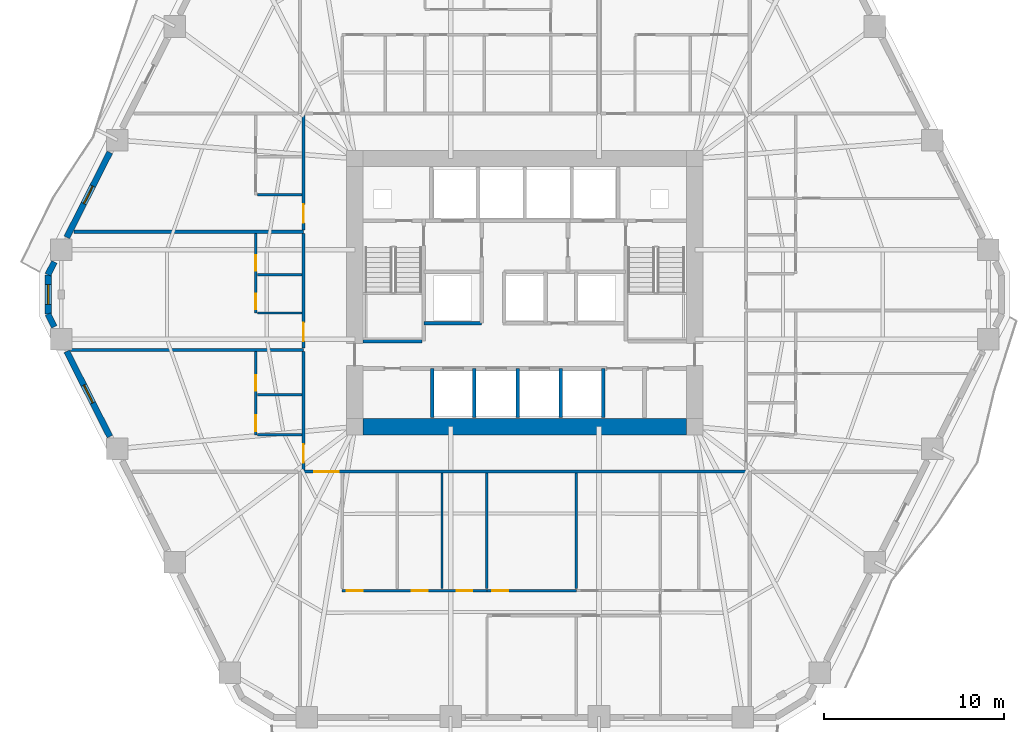
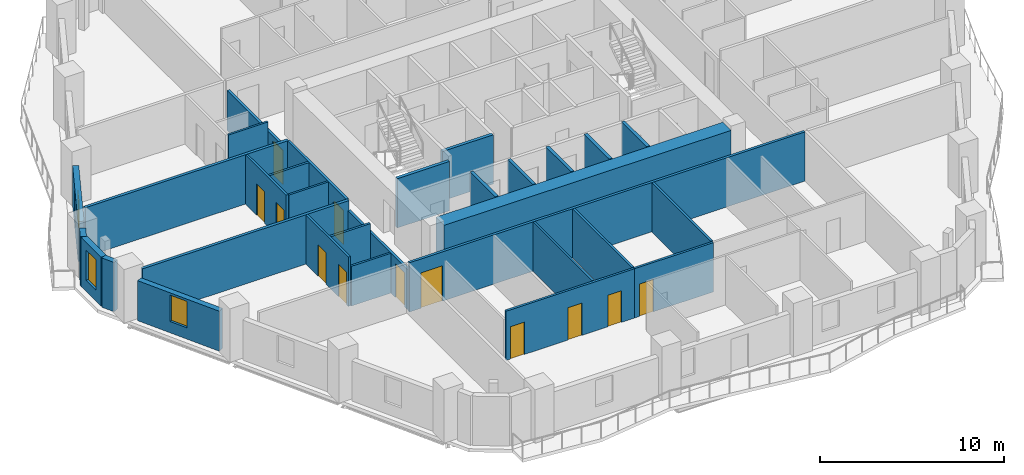
# One storey, part 4 of 12: 31 walls, 12 doors, 3 windows, 15 openings.
"""IFC4 building model written with IfcOpenShell, lengths in metres."""

import ifcopenshell
import ifcopenshell.guid

model = None  # the IFC model being written
_history = None  # IfcOwnerHistory: only IFC2X3 demands one
_inside = {}  # id of a spatial element -> (the spatial element, [elements in it])
_under = {}  # id of a project, library or spatial element -> (it, [spatial elements below it])
_declared = {}  # id of a project -> (the project, [libraries it declares])
_typed = {}  # id of a type object -> (the type object, [elements of that type])
_made_of = {}  # id of a material, layer set ... -> (it, [elements and type objects made of it])


def new_model(schema):
    """Start an empty IFC model of exactly this schema.

    Asked for "IFC4X3", IfcOpenShell would pick the latest addendum, in which some entities
    have other attributes; the version numbers below select the first issue.
    IFC2X3 requires an IfcOwnerHistory on every rooted entity: one is made here for all.
    """
    global model, _history
    if schema == "IFC4X3":
        model = ifcopenshell.file(schema_version=(4, 3, 0, 0))
    else:
        model = ifcopenshell.file(schema=schema)
    _inside.clear()
    _under.clear()
    _declared.clear()
    _typed.clear()
    _made_of.clear()
    _history = None
    if model.schema == "IFC2X3":
        org = make("IfcOrganization", Name="unknown")
        user = make(
            "IfcPersonAndOrganization",
            ThePerson=make("IfcPerson", FamilyName="unknown"),
            TheOrganization=org,
        )
        app = make(
            "IfcApplication",
            ApplicationDeveloper=org,
            Version="unknown",
            ApplicationFullName="unknown",
            ApplicationIdentifier="unknown",
        )
        _history = make(
            "IfcOwnerHistory",
            OwningUser=user,
            OwningApplication=app,
            ChangeAction="ADDED",
            CreationDate=0,
        )
    return model


def make(cls, **values):
    """One entity of the class cls with the attributes given. An attribute that is None is left unset."""
    return model.create_entity(
        cls, **{name: value for name, value in values.items() if value is not None}
    )


def rooted(cls, **values):
    """An entity with a GlobalId (a new one), such as an element, a storey or a relation."""
    return make(cls, GlobalId=ifcopenshell.guid.new(), OwnerHistory=_history, **values)


def si_unit(unit_type, name, prefix=None):
    """IfcSIUnit, for example si_unit("LENGTHUNIT", "METRE", prefix="MILLI")."""
    return make("IfcSIUnit", UnitType=unit_type, Prefix=prefix, Name=name)


def assignment(units):
    """IfcUnitAssignment: the units of a project."""
    return None if units is None else make("IfcUnitAssignment", Units=units)


def point(xyz):
    """IfcCartesianPoint."""
    return None if xyz is None else make("IfcCartesianPoint", Coordinates=xyz)


def direction(xyz):
    """IfcDirection."""
    return None if xyz is None else make("IfcDirection", DirectionRatios=xyz)


def frame(location, z_axis=None, x_axis=None):
    """IfcAxis2Placement3D, a coordinate frame: its origin and axes. An axis left out is left unset."""
    return make(
        "IfcAxis2Placement3D",
        Location=point(location),
        Axis=direction(z_axis),
        RefDirection=direction(x_axis),
    )


def frame_2d(location, x_axis=None):
    """IfcAxis2Placement2D, a coordinate frame in the plane: its origin and x axis."""
    return make(
        "IfcAxis2Placement2D", Location=point(location), RefDirection=direction(x_axis)
    )


def origin():
    """The frame at (0, 0, 0) with its axes left unset."""
    return frame((0.0, 0.0, 0.0))


def place(relative_to, where):
    """IfcLocalPlacement: puts the frame where relative to a parent placement (None: the world)."""
    return make(
        "IfcLocalPlacement", PlacementRelTo=relative_to, RelativePlacement=where
    )


def context(
    kind, dimensions, precision=None, world=None, true_north=None, identifier=None
):
    """IfcGeometricRepresentationContext, for example the 3D "Model" context."""
    return make(
        "IfcGeometricRepresentationContext",
        ContextIdentifier=identifier,
        ContextType=kind,
        CoordinateSpaceDimension=dimensions,
        Precision=precision,
        WorldCoordinateSystem=world,
        TrueNorth=true_north,
    )


def subcontext(parent, identifier, kind, view, scale=None):
    """IfcGeometricRepresentationSubContext, for example "Body" below "Model"."""
    return make(
        "IfcGeometricRepresentationSubContext",
        ContextIdentifier=identifier,
        ContextType=kind,
        ParentContext=parent,
        TargetScale=scale,
        TargetView=view,
    )


def project(units=None, contexts=None):
    """IfcProject with its units and contexts."""
    return rooted(
        "IfcProject",
        Name="project",
        RepresentationContexts=contexts,
        UnitsInContext=assignment(units),
    )


def spatial(cls, under=None, at=None, **own):
    """A site, building, storey or space (cls), placed at a placement, below another one or the project."""
    s = rooted(cls, ObjectPlacement=at, **own)
    if under is not None:
        _under.setdefault(under.id(), (under, []))[1].append(s)
    return s


def profile(cls, at=None, kind="AREA", **sizes):
    """A parametric profile (cls). Its sizes go by their IFC names, for example OverallWidth=200.0."""
    return make(cls, ProfileType=kind, Position=at, **sizes)


def rectangle(**sizes):
    """IfcRectangleProfileDef."""
    return profile("IfcRectangleProfileDef", **sizes)


def extrude(swept, where, along, depth):
    """IfcExtrudedAreaSolid: the profile swept, set in the frame where, extruded along a direction by depth."""
    return make(
        "IfcExtrudedAreaSolid",
        SweptArea=swept,
        Position=where,
        ExtrudedDirection=direction(along),
        Depth=depth,
    )


def shape(context_of_items, identifier, shape_type, items):
    """IfcShapeRepresentation: the items that make up one representation, for example the "Body"."""
    return make(
        "IfcShapeRepresentation",
        ContextOfItems=context_of_items,
        RepresentationIdentifier=identifier,
        RepresentationType=shape_type,
        Items=items,
    )


def material(Name=None, Category=None):
    """IfcMaterial."""
    return make("IfcMaterial", Name=Name, Category=Category)


def layer(
    of_material, thickness, ventilated=None, Name=None, Category=None, Priority=None
):
    """IfcMaterialLayer: one layer of a wall or slab, of a material (None: an air gap)."""
    return make(
        "IfcMaterialLayer",
        Material=of_material,
        LayerThickness=thickness,
        IsVentilated=ventilated,
        Name=Name,
        Category=Category,
        Priority=Priority,
    )


def layer_set(layers, Name=None):
    """IfcMaterialLayerSet."""
    return make("IfcMaterialLayerSet", MaterialLayers=layers, LayerSetName=Name)


def made_of(thing, what):
    """Note that an element or type object is made of a material, layer set ...; save() writes the relation."""
    if what is not None:
        _made_of.setdefault(what.id(), (what, []))[1].append(thing)
    return thing


def type_object(cls, material=None, **own):
    """A type object (cls), such as IfcWallType, which elements share."""
    return made_of(rooted(cls, **own), material)


def element(
    cls,
    number,
    at=None,
    inside=None,
    cuts=None,
    type_object=None,
    material=None,
    context=None,
    identifier="Body",
    shape_type=None,
    held_by="IfcProductDefinitionShape",
    body=None,
    shapes=None,
    **own,
):
    """One element of the class cls, such as IfcWall. Its Tag is "e" and its number.

    at: its placement. inside: the storey or other place that contains it. cuts: it is an
    opening in that element (IfcRelVoidsElement). A single representation is given by context,
    identifier, shape_type and body (its items); several are given by shapes. held_by: the class
    of the entity that holds the representations. save() writes the other relations.
    """
    e = rooted(cls, Tag="e%d" % number, ObjectPlacement=at, **own)
    if body is not None:
        shapes = [shape(context, identifier, shape_type, body)]
    if shapes is not None:
        e.Representation = make(held_by, Representations=shapes)
    if inside is not None:
        _inside.setdefault(inside.id(), (inside, []))[1].append(e)
    if cuts is not None:
        rooted(
            "IfcRelVoidsElement", RelatingBuildingElement=cuts, RelatedOpeningElement=e
        )
    if type_object is not None:
        _typed.setdefault(type_object.id(), (type_object, []))[1].append(e)
    return made_of(e, material)


def fill(opening, filler):
    """IfcRelFillsElement: the door or window that sits in an opening."""
    return rooted(
        "IfcRelFillsElement",
        RelatingOpeningElement=opening,
        RelatedBuildingElement=filler,
    )


def aggregate(whole, parts):
    """IfcRelAggregates: a whole, such as a stair, and the parts it consists of."""
    return rooted("IfcRelAggregates", RelatingObject=whole, RelatedObjects=parts)


def save(model, path):
    """Write the relations noted so far, then the file.

    IfcRelAggregates (storeys below a building ...), IfcRelContainedInSpatialStructure (elements
    in a storey), IfcRelDefinesByType, IfcRelAssociatesMaterial and IfcRelDeclares: one each for
    every whole, place, type object, material and project.
    """
    for whole, parts in _under.values():
        aggregate(whole, parts)
    for where, things in _inside.values():
        rooted(
            "IfcRelContainedInSpatialStructure",
            RelatedElements=things,
            RelatingStructure=where,
        )
    for kind, things in _typed.values():
        rooted("IfcRelDefinesByType", RelatedObjects=things, RelatingType=kind)
    for what, things in _made_of.values():
        rooted("IfcRelAssociatesMaterial", RelatedObjects=things, RelatingMaterial=what)
    for by, libraries in _declared.values():
        rooted("IfcRelDeclares", RelatingContext=by, RelatedDefinitions=libraries)
    model.write(path)


model = new_model("IFC4")

# Units and contexts
model_context = context("Model", 3, precision=1e-05, world=origin(), true_north=direction((0.0, 1.0)))
body_context = subcontext(model_context, "Body", "Model", "MODEL_VIEW")
ifc_project = project(units=[si_unit("LENGTHUNIT", "METRE"), si_unit("AREAUNIT", "SQUARE_METRE"), si_unit("VOLUMEUNIT", "CUBIC_METRE"), si_unit("PLANEANGLEUNIT", "RADIAN"), si_unit("MASSUNIT", "GRAM", prefix="KILO")], contexts=[model_context])

# Site, building, storey
site_placement = place(None, origin())
site = spatial("IfcSite", under=ifc_project, at=site_placement, CompositionType="ELEMENT")
building_placement = place(site_placement, origin())
building = spatial("IfcBuilding", under=site, at=building_placement, Name="Cinnabar Lancet Tower", CompositionType="ELEMENT")
storey_placement = place(building_placement, frame((0.0, 0.0, 71.050048828125)))
storey = spatial("IfcBuildingStorey", under=building, at=storey_placement, Name="L18", CompositionType="ELEMENT", Elevation=71.050048828125)

# Wall, opening, door
ifc_material_1 = material(Name="Acoustic twin-stud gypsum partition", Category="gypsum")
ifc_layer_1 = layer(ifc_material_1, 0.159912109375)
ifc_layer_set_1 = layer_set([ifc_layer_1], Name="Acoustic twin-stud gypsum partition")
wall_type_1 = type_object("IfcWallType", Name="ARC-WL-CORR-160", PredefinedType="PARTITIONING", material=ifc_layer_set_1)
wall_1_placement = place(storey_placement, frame((19.9951171875, 15.949951171875, 0.0), z_axis=(0.0, 0.0, 1.0), x_axis=(1.0, 0.0, 0.0)))
wall_1 = element("IfcWall", 1, at=wall_1_placement, inside=storey, type_object=wall_type_1, Name="L18 Unit S01 Corridor Wall", PredefinedType="PARTITIONING", context=body_context, shape_type="SweptSolid", body=[
    extrude(rectangle(XDim=24.809814453125, YDim=0.159912109375, at=frame_2d((12.40478515625, 0.0))), origin(), (0.0, 0.0, 1.0), 3.27001953125),
])
opening_1_placement = place(wall_1_placement, frame((0.705078125, 0.0, 0.0)))
opening_1 = element("IfcOpeningElement", 2, at=opening_1_placement, cuts=wall_1, Name="Opening UD-02", PredefinedType="OPENING", context=body_context, shape_type="SweptSolid", body=[
    extrude(rectangle(XDim=1.35009765625, YDim=2.35009765625, at=frame_2d((0.675048828125, 1.175048828125))), frame((0.0, 0.08984375, 0.0), z_axis=(0.0, -1.0, 0.0), x_axis=(1.0, 0.0, 0.0)), (0.0, 0.0, 1.0), 0.179931640625),
])
ifc_material_2 = material(Name="Double-leaf solid timber penthouse entrance door", Category="wood")
door_type_1 = type_object("IfcDoorType", Name="ARC-DR-UNIT-PH", OperationType="NOTDEFINED", PredefinedType="DOOR", material=ifc_material_2)
door_1_placement = place(opening_1_placement, origin())
door_1 = element("IfcDoor", 3, at=door_1_placement, inside=storey, type_object=door_type_1, Name="DR-L18-S01-ENT", OperationType="SINGLE_SWING_LEFT", OverallHeight=2.35009765625, OverallWidth=1.35009765625, PredefinedType="DOOR", context=body_context, shape_type="SweptSolid", body=[
    extrude(rectangle(XDim=1.35009765625, YDim=2.35009765625, at=frame_2d((0.675048828125, 1.175048828125))), frame((0.0, 0.02490234375, 0.0), z_axis=(0.0, -1.0, 0.0), x_axis=(1.0, 0.0, 0.0)), (0.0, 0.0, 1.0), 0.050048828125),
])
fill(opening_1, door_1)

wall_2_placement = place(storey_placement, frame((20.10009765625, 16.044921875, 0.0), z_axis=(0.0, 0.0, 1.0), x_axis=(0.0, 1.0, 0.0)))
wall_2 = element("IfcWall", 4, at=wall_2_placement, inside=storey, type_object=wall_type_1, Name="UW-L18-W01-COR", PredefinedType="PARTITIONING", context=body_context, shape_type="SweptSolid", body=[
    extrude(rectangle(XDim=6.576171875, YDim=0.159912109375, at=frame_2d((3.2880859375, 0.0))), origin(), (0.0, 0.0, 1.0), 2.639892578125),
])
opening_2_placement = place(wall_2_placement, frame((0.39990234375, 0.0, 0.0)))
opening_2 = element("IfcOpeningElement", 5, at=opening_2_placement, cuts=wall_2, Name="Opening UD-01", PredefinedType="OPENING", context=body_context, shape_type="SweptSolid", body=[
    extrude(rectangle(XDim=1.02001953125, YDim=2.25, at=frame_2d((0.510009765625, 1.125))), frame((0.0, 0.08984375, 0.0), z_axis=(0.0, -1.0, 0.0), x_axis=(1.0, 0.0, 0.0)), (0.0, 0.0, 1.0), 0.179931640625),
])
ifc_material_3 = material(Name="Solid timber fire-rated apartment entrance door", Category="wood")
door_type_2 = type_object("IfcDoorType", Name="ARC-DR-UNIT", OperationType="NOTDEFINED", PredefinedType="DOOR", material=ifc_material_3)
door_2_placement = place(opening_2_placement, origin())
door_2 = element("IfcDoor", 6, at=door_2_placement, inside=storey, type_object=door_type_2, Name="DR-L18-W01-ENT", OperationType="SINGLE_SWING_LEFT", OverallHeight=2.25, OverallWidth=1.02001953125, PredefinedType="DOOR", context=body_context, shape_type="SweptSolid", body=[
    extrude(rectangle(XDim=1.02001953125, YDim=2.25, at=frame_2d((0.510009765625, 1.125))), frame((0.0, 0.02490234375, 0.0), z_axis=(0.0, -1.0, 0.0), x_axis=(1.0, 0.0, 0.0)), (0.0, 0.0, 1.0), 0.050048828125),
])
fill(opening_2, door_2)

wall_3_placement = place(storey_placement, frame((20.10009765625, 22.81103515625, 0.0), z_axis=(0.0, 0.0, 1.0), x_axis=(0.0, 1.0, 0.0)))
wall_3 = element("IfcWall", 7, at=wall_3_placement, inside=storey, type_object=wall_type_1, Name="UW-L18-W02-COR", PredefinedType="PARTITIONING", context=body_context, shape_type="SweptSolid", body=[
    extrude(rectangle(XDim=6.376953125, YDim=0.159912109375, at=frame_2d((3.1884765625, 0.0))), origin(), (0.0, 0.0, 1.0), 3.27001953125),
])
opening_3_placement = place(wall_3_placement, frame((0.39990234375, 0.0, 0.0)))
opening_3 = element("IfcOpeningElement", 8, at=opening_3_placement, cuts=wall_3, Name="Opening UD-01", PredefinedType="OPENING", context=body_context, shape_type="SweptSolid", body=[
    extrude(rectangle(XDim=1.02001953125, YDim=2.25, at=frame_2d((0.510009765625, 1.125))), frame((0.0, 0.08984375, 0.0), z_axis=(0.0, -1.0, 0.0), x_axis=(1.0, 0.0, 0.0)), (0.0, 0.0, 1.0), 0.179931640625),
])
door_3_placement = place(opening_3_placement, origin())
door_3 = element("IfcDoor", 9, at=door_3_placement, inside=storey, type_object=door_type_2, Name="DR-L18-W02-ENT", OperationType="SINGLE_SWING_RIGHT", OverallHeight=2.25, OverallWidth=1.02001953125, PredefinedType="DOOR", context=body_context, shape_type="SweptSolid", body=[
    extrude(rectangle(XDim=1.02001953125, YDim=2.25, at=frame_2d((0.510009765625, 1.125))), frame((0.0, 0.02490234375, 0.0), z_axis=(0.0, -1.0, 0.0), x_axis=(1.0, 0.0, 0.0)), (0.0, 0.0, 1.0), 0.050048828125),
])
fill(opening_3, door_3)

wall_4_placement = place(storey_placement, frame((20.10009765625, 29.3779296875, 0.0), z_axis=(0.0, 0.0, 1.0), x_axis=(0.0, 1.0, 0.0)))
wall_4 = element("IfcWall", 10, at=wall_4_placement, inside=storey, type_object=wall_type_1, Name="UW-L18-W03-COR", PredefinedType="PARTITIONING", context=body_context, shape_type="SweptSolid", body=[
    extrude(rectangle(XDim=6.376953125, YDim=0.159912109375, at=frame_2d((3.1884765625, 0.0))), origin(), (0.0, 0.0, 1.0), 2.639892578125),
])
opening_4_placement = place(wall_4_placement, frame((0.39990234375, 0.0, 0.0)))
opening_4 = element("IfcOpeningElement", 11, at=opening_4_placement, cuts=wall_4, Name="Opening UD-01", PredefinedType="OPENING", context=body_context, shape_type="SweptSolid", body=[
    extrude(rectangle(XDim=1.02001953125, YDim=2.25, at=frame_2d((0.510009765625, 1.125))), frame((0.0, 0.08984375, 0.0), z_axis=(0.0, -1.0, 0.0), x_axis=(1.0, 0.0, 0.0)), (0.0, 0.0, 1.0), 0.179931640625),
])
door_4_placement = place(opening_4_placement, origin())
door_4 = element("IfcDoor", 12, at=door_4_placement, inside=storey, type_object=door_type_2, Name="DR-L18-W03-ENT", OperationType="SINGLE_SWING_LEFT", OverallHeight=2.25, OverallWidth=1.02001953125, PredefinedType="DOOR", context=body_context, shape_type="SweptSolid", body=[
    extrude(rectangle(XDim=1.02001953125, YDim=2.25, at=frame_2d((0.510009765625, 1.125))), frame((0.0, 0.02490234375, 0.0), z_axis=(0.0, -1.0, 0.0), x_axis=(1.0, 0.0, 0.0)), (0.0, 0.0, 1.0), 0.050048828125),
])
fill(opening_4, door_4)

# Walls
ifc_material_4 = material(Name="Fire-rated twin-frame acoustic drywall", Category="gypsum")
ifc_layer_2 = layer(ifc_material_4, 0.179931640625)
ifc_layer_set_2 = layer_set([ifc_layer_2], Name="Fire-rated twin-frame acoustic drywall")
wall_type_2 = type_object("IfcWallType", Name="ARC-WL-PARTY-180", PredefinedType="PARTITIONING", material=ifc_layer_set_2)
wall_5_placement = place(storey_placement, frame((7.139892578125, 22.716064453125, 0.0), z_axis=(0.0, 0.0, 1.0), x_axis=(1.0, 0.0, 0.0)))
element("IfcWall", 13, at=wall_5_placement, inside=storey, type_object=wall_type_2, Name="PW-L18-WPTY-1", PredefinedType="PARTITIONING", context=body_context, shape_type="SweptSolid", body=[
    extrude(rectangle(XDim=12.960205078125, YDim=0.179931640625, at=frame_2d((6.47998046875, 0.0))), origin(), (0.0, 0.0, 1.0), 3.27001953125),
])
wall_6_placement = place(storey_placement, frame((7.342041015625, 29.282958984375, 0.0), z_axis=(0.0, 0.0, 1.0), x_axis=(1.0, 0.0, 0.0)))
element("IfcWall", 14, at=wall_6_placement, inside=storey, type_object=wall_type_2, Name="PW-L18-WPTY-2", PredefinedType="PARTITIONING", context=body_context, shape_type="SweptSolid", body=[
    extrude(rectangle(XDim=12.758056640625, YDim=0.179931640625, at=frame_2d((6.37890625, 0.0))), origin(), (0.0, 0.0, 1.0), 3.27001953125),
])
ifc_material_5 = material(Name="Autoclaved aerated concrete blockwork", Category="masonry")
ifc_layer_3 = layer(ifc_material_5, 0.199951171875)
ifc_layer_set_3 = layer_set([ifc_layer_3], Name="Autoclaved aerated concrete blockwork")
wall_type_3 = type_object("IfcWallType", Name="ARC-WL-SHAFT-200", PredefinedType="PLUMBINGWALL", material=ifc_layer_set_3)
wall_7_placement = place(storey_placement, frame((23.405029296875, 23.199951171875, 0.0), z_axis=(0.0, 0.0, 1.0), x_axis=(1.0, 0.0, 0.0)))
element("IfcWall", 15, at=wall_7_placement, inside=storey, type_object=wall_type_3, Name="CW-ST1S-L18", PredefinedType="PLUMBINGWALL", context=body_context, shape_type="SweptSolid", body=[
    extrude(rectangle(XDim=3.27001953125, YDim=0.199951171875, at=frame_2d((1.635009765625, 0.0))), origin(), (0.0, 0.0, 1.0), 3.27001953125),
])
wall_8_placement = place(storey_placement, frame((26.800048828125, 24.199951171875, 0.0), z_axis=(0.0, 0.0, 1.0), x_axis=(1.0, 0.0, 0.0)))
element("IfcWall", 16, at=wall_8_placement, inside=storey, type_object=wall_type_3, Name="CW-PL5S-L18", PredefinedType="PLUMBINGWALL", context=body_context, shape_type="SweptSolid", body=[
    extrude(rectangle(XDim=3.199951171875, YDim=0.199951171875, at=frame_2d((1.60009765625, 0.0))), origin(), (0.0, 0.0, 1.0), 3.27001953125),
])
for number, where, z_axis, x_axis, name in (
    (17, (27.25, 18.949951171875, 0.0), (0.0, 0.0, 1.0), (0.0, 1.0, 0.0), "CW-SB-2725-L18"),
    (18, (29.60009765625, 18.949951171875, 0.0), (0.0, 0.0, 1.0), (0.0, 1.0, 0.0), "CW-SB-2960-L18"),
    (19, (32.0, 18.949951171875, 0.0), (0.0, 0.0, 1.0), (0.0, 1.0, 0.0), "CW-SB-3200-L18"),
    (20, (34.39990234375, 18.949951171875, 0.0), (0.0, 0.0, 1.0), (0.0, 1.0, 0.0), "CW-SB-3440-L18"),
    (21, (36.75, 18.949951171875, 0.0), (0.0, 0.0, 1.0), (0.0, 1.0, 0.0), "CW-SB-3675-L18"),
):
    element("IfcWall", number, at=place(storey_placement, frame(where, z_axis=z_axis, x_axis=x_axis)), inside=storey, type_object=wall_type_3, Name=name, PredefinedType="PLUMBINGWALL", context=body_context, shape_type="SweptSolid", body=[
        extrude(rectangle(XDim=2.72998046875, YDim=0.199951171875, at=frame_2d((1.364990234375, 0.0))), origin(), (0.0, 0.0, 1.0), 3.27001953125),
    ])
ifc_material_6 = material(Name="Gypsum plasterboard stud partition", Category="gypsum")
ifc_layer_4 = layer(ifc_material_6, 0.125)
ifc_layer_set_4 = layer_set([ifc_layer_4], Name="Gypsum plasterboard stud partition")
wall_type_4 = type_object("IfcWallType", Name="ARC-WL-UNIT-125", PredefinedType="PARTITIONING", material=ifc_layer_set_4)
wall_9_placement = place(storey_placement, frame((27.802001953125, 9.44189453125, 0.0), z_axis=(0.0, 0.0, 1.0), x_axis=(0.0, 1.0, 0.0)))
element("IfcWall", 22, at=wall_9_placement, inside=storey, type_object=wall_type_4, Name="UW-L18-S01-STD", PredefinedType="PARTITIONING", context=body_context, shape_type="SweptSolid", body=[
    extrude(rectangle(XDim=6.423095703125, YDim=0.125, at=frame_2d((3.21142578125, 0.0))), origin(), (0.0, 0.0, 1.0), 3.27001953125),
])
wall_10_placement = place(storey_placement, frame((17.534912109375, 18.0, 0.0), z_axis=(0.0, 0.0, 1.0), x_axis=(1.0, 0.0, 0.0)))
element("IfcWall", 23, at=wall_10_placement, inside=storey, type_object=wall_type_4, Name="UW-L18-W01-FOYN", PredefinedType="PARTITIONING", context=body_context, shape_type="SweptSolid", body=[
    extrude(rectangle(XDim=2.47998046875, YDim=0.125, at=frame_2d((1.239990234375, 0.0))), origin(), (0.0, 0.0, 1.0), 2.639892578125),
])
for number, where, z_axis, x_axis, name in (
    (24, (17.534912109375, 24.76611328125, 0.0), (0.0, 0.0, 1.0), (1.0, 0.0, 0.0), "UW-L18-W02-FOYN"),
    (25, (17.534912109375, 31.3330078125, 0.0), (0.0, 0.0, 1.0), (1.0, 0.0, 0.0), "UW-L18-W03-FOYN"),
):
    element("IfcWall", number, at=place(storey_placement, frame(where, z_axis=z_axis, x_axis=x_axis)), inside=storey, type_object=wall_type_4, Name=name, PredefinedType="PARTITIONING", context=body_context, shape_type="SweptSolid", body=[
        extrude(rectangle(XDim=2.47998046875, YDim=0.125, at=frame_2d((1.239990234375, 0.0))), origin(), (0.0, 0.0, 1.0), 3.27001953125),
    ])

# Wall, openings, doors
ifc_material_7 = material(Name="Moisture-resistant cement-board plumbing wall", Category="masonry")
ifc_layer_5 = layer(ifc_material_7, 0.139892578125)
ifc_layer_set_5 = layer_set([ifc_layer_5], Name="Moisture-resistant cement-board plumbing wall")
wall_type_5 = type_object("IfcWallType", Name="ARC-WL-WET-140", PredefinedType="PLUMBINGWALL", material=ifc_layer_set_5)
wall_11_placement = place(storey_placement, frame((22.25, 9.3369140625, 0.0), z_axis=(0.0, 0.0, 1.0), x_axis=(1.0, 0.0, 0.0)))
wall_11 = element("IfcWall", 26, at=wall_11_placement, inside=storey, type_object=wall_type_5, Name="UW-L18-S01-SPL", PredefinedType="PLUMBINGWALL", context=body_context, shape_type="SweptSolid", body=[
    extrude(rectangle(XDim=8.047119140625, YDim=0.139892578125, at=frame_2d((4.0234375, 0.0))), origin(), (0.0, 0.0, 1.0), 3.27001953125),
])
opening_5_placement = place(wall_11_placement, frame((6.375, 0.0, 0.0)))
opening_5 = element("IfcOpeningElement", 27, at=opening_5_placement, cuts=wall_11, Name="Opening BD-01", PredefinedType="OPENING", context=body_context, shape_type="SweptSolid", body=[
    extrude(rectangle(XDim=0.860107421875, YDim=2.10009765625, at=frame_2d((0.43017578125, 1.050048828125))), frame((0.0, 0.079833984375, 0.0), z_axis=(0.0, -1.0, 0.0), x_axis=(1.0, 0.0, 0.0)), (0.0, 0.0, 1.0), 0.159912109375),
])
opening_6_placement = place(wall_11_placement, frame((0.260009765625, 0.0, 0.0)))
opening_6 = element("IfcOpeningElement", 28, at=opening_6_placement, cuts=wall_11, Name="Opening RD-02", PredefinedType="OPENING", context=body_context, shape_type="SweptSolid", body=[
    extrude(rectangle(XDim=0.8798828125, YDim=2.14990234375, at=frame_2d((0.43994140625, 1.074951171875))), frame((0.0, 0.079833984375, 0.0), z_axis=(0.0, -1.0, 0.0), x_axis=(1.0, 0.0, 0.0)), (0.0, 0.0, 1.0), 0.159912109375),
])
opening_7_placement = place(wall_11_placement, frame((3.864990234375, 0.0, 0.0)))
opening_7 = element("IfcOpeningElement", 29, at=opening_7_placement, cuts=wall_11, Name="Opening RD-02", PredefinedType="OPENING", context=body_context, shape_type="SweptSolid", body=[
    extrude(rectangle(XDim=0.8798828125, YDim=2.14990234375, at=frame_2d((0.43994140625, 1.074951171875))), frame((0.0, 0.079833984375, 0.0), z_axis=(0.0, -1.0, 0.0), x_axis=(1.0, 0.0, 0.0)), (0.0, 0.0, 1.0), 0.159912109375),
])
ifc_material_8 = material(Name="Moisture-resistant timber bathroom door", Category="wood")
door_type_3 = type_object("IfcDoorType", Name="ARC-DR-BATH", OperationType="NOTDEFINED", PredefinedType="DOOR", material=ifc_material_8)
door_5_placement = place(opening_5_placement, origin())
door_5 = element("IfcDoor", 30, at=door_5_placement, inside=storey, type_object=door_type_3, Name="DR-L18-S01-BTH", OperationType="SINGLE_SWING_RIGHT", OverallHeight=2.10009765625, OverallWidth=0.860107421875, PredefinedType="DOOR", context=body_context, shape_type="SweptSolid", body=[
    extrude(rectangle(XDim=0.860107421875, YDim=2.10009765625, at=frame_2d((0.43017578125, 1.050048828125))), frame((0.0, 0.02490234375, 0.0), z_axis=(0.0, -1.0, 0.0), x_axis=(1.0, 0.0, 0.0)), (0.0, 0.0, 1.0), 0.050048828125),
])
fill(opening_5, door_5)
ifc_material_9 = material(Name="Engineered timber study door", Category="wood")
door_type_4 = type_object("IfcDoorType", Name="ARC-DR-STUDY", OperationType="NOTDEFINED", PredefinedType="DOOR", material=ifc_material_9)
door_6_placement = place(opening_6_placement, origin())
door_6 = element("IfcDoor", 31, at=door_6_placement, inside=storey, type_object=door_type_4, Name="DR-L18-S01-KIT", OperationType="SINGLE_SWING_RIGHT", OverallHeight=2.14990234375, OverallWidth=0.8798828125, PredefinedType="DOOR", context=body_context, shape_type="SweptSolid", body=[
    extrude(rectangle(XDim=0.8798828125, YDim=2.14990234375, at=frame_2d((0.43994140625, 1.074951171875))), frame((0.0, 0.02490234375, 0.0), z_axis=(0.0, -1.0, 0.0), x_axis=(1.0, 0.0, 0.0)), (0.0, 0.0, 1.0), 0.050048828125),
])
fill(opening_6, door_6)
door_7_placement = place(opening_7_placement, origin())
door_7 = element("IfcDoor", 32, at=door_7_placement, inside=storey, type_object=door_type_4, Name="DR-L18-S01-STD", OperationType="SINGLE_SWING_LEFT", OverallHeight=2.14990234375, OverallWidth=0.8798828125, PredefinedType="DOOR", context=body_context, shape_type="SweptSolid", body=[
    extrude(rectangle(XDim=0.8798828125, YDim=2.14990234375, at=frame_2d((0.43994140625, 1.074951171875))), frame((0.0, 0.02490234375, 0.0), z_axis=(0.0, -1.0, 0.0), x_axis=(1.0, 0.0, 0.0)), (0.0, 0.0, 1.0), 0.050048828125),
])
fill(opening_7, door_7)

# Wall, opening, door
wall_12_placement = place(storey_placement, frame((30.297119140625, 9.3369140625, 0.0), z_axis=(0.0, 0.0, 1.0), x_axis=(1.0, 0.0, 0.0)))
wall_12 = element("IfcWall", 33, at=wall_12_placement, inside=storey, type_object=wall_type_5, Name="UW-L18-S01-SPM", PredefinedType="PLUMBINGWALL", context=body_context, shape_type="SweptSolid", body=[
    extrude(rectangle(XDim=4.96484375, YDim=0.139892578125, at=frame_2d((2.482421875, 0.0))), origin(), (0.0, 0.0, 1.0), 3.27001953125),
])
opening_8_placement = place(wall_12_placement, frame((0.300048828125, 0.0, 0.0)))
opening_8 = element("IfcOpeningElement", 34, at=opening_8_placement, cuts=wall_12, Name="Opening RD-02", PredefinedType="OPENING", context=body_context, shape_type="SweptSolid", body=[
    extrude(rectangle(XDim=0.8798828125, YDim=2.14990234375, at=frame_2d((0.43994140625, 1.074951171875))), frame((0.0, 0.079833984375, 0.0), z_axis=(0.0, -1.0, 0.0), x_axis=(1.0, 0.0, 0.0)), (0.0, 0.0, 1.0), 0.159912109375),
])
door_8_placement = place(opening_8_placement, origin())
door_8 = element("IfcDoor", 35, at=door_8_placement, inside=storey, type_object=door_type_4, Name="DR-L18-S01-UTL", OperationType="SINGLE_SWING_LEFT", OverallHeight=2.14990234375, OverallWidth=0.8798828125, PredefinedType="DOOR", context=body_context, shape_type="SweptSolid", body=[
    extrude(rectangle(XDim=0.8798828125, YDim=2.14990234375, at=frame_2d((0.43994140625, 1.074951171875))), frame((0.0, 0.02490234375, 0.0), z_axis=(0.0, -1.0, 0.0), x_axis=(1.0, 0.0, 0.0)), (0.0, 0.0, 1.0), 0.050048828125),
])
fill(opening_8, door_8)

# Walls
for number, where, z_axis, x_axis, name in (
    (36, (30.297119140625, 9.44189453125, 0.0), (0.0, 0.0, 1.0), (0.0, 1.0, 0.0), "UW-L18-S01-ENSW"),
    (37, (35.261962890625, 9.44189453125, 0.0), (0.0, 0.0, 1.0), (0.0, 1.0, 0.0), "UW-L18-S01-ENSE"),
):
    element("IfcWall", number, at=place(storey_placement, frame(where, z_axis=z_axis, x_axis=x_axis)), inside=storey, type_object=wall_type_5, Name=name, PredefinedType="PLUMBINGWALL", context=body_context, shape_type="SweptSolid", body=[
        extrude(rectangle(XDim=6.423095703125, YDim=0.139892578125, at=frame_2d((3.21142578125, 0.0))), origin(), (0.0, 0.0, 1.0), 3.27001953125),
    ])

# Wall, openings, doors
wall_13_placement = place(storey_placement, frame((17.449951171875, 18.0, 0.0), z_axis=(0.0, 0.0, 1.0), x_axis=(0.0, 1.0, 0.0)))
wall_13 = element("IfcWall", 38, at=wall_13_placement, inside=storey, type_object=wall_type_5, Name="UW-L18-W01-SPL", PredefinedType="PLUMBINGWALL", context=body_context, shape_type="SweptSolid", body=[
    extrude(rectangle(XDim=4.62109375, YDim=0.139892578125, at=frame_2d((2.310546875, 0.0))), origin(), (0.0, 0.0, 1.0), 3.27001953125),
])
opening_9_placement = place(wall_13_placement, frame((2.43798828125, 0.0, 0.0)))
opening_9 = element("IfcOpeningElement", 39, at=opening_9_placement, cuts=wall_13, Name="Opening BD-01", PredefinedType="OPENING", context=body_context, shape_type="SweptSolid", body=[
    extrude(rectangle(XDim=0.860107421875, YDim=2.10009765625, at=frame_2d((0.43017578125, 1.050048828125))), frame((0.0, 0.079833984375, 0.0), z_axis=(0.0, -1.0, 0.0), x_axis=(1.0, 0.0, 0.0)), (0.0, 0.0, 1.0), 0.159912109375),
])
opening_10_placement = place(wall_13_placement, frame((0.199951171875, 0.0, 0.0)))
opening_10 = element("IfcOpeningElement", 40, at=opening_10_placement, cuts=wall_13, Name="Opening RD-02", PredefinedType="OPENING", context=body_context, shape_type="SweptSolid", body=[
    extrude(rectangle(XDim=0.8798828125, YDim=2.14990234375, at=frame_2d((0.43994140625, 1.074951171875))), frame((0.0, 0.079833984375, 0.0), z_axis=(0.0, -1.0, 0.0), x_axis=(1.0, 0.0, 0.0)), (0.0, 0.0, 1.0), 0.159912109375),
])
door_9_placement = place(opening_9_placement, origin())
door_9 = element("IfcDoor", 41, at=door_9_placement, inside=storey, type_object=door_type_3, Name="DR-L18-W01-BTH", OperationType="SINGLE_SWING_LEFT", OverallHeight=2.10009765625, OverallWidth=0.860107421875, PredefinedType="DOOR", context=body_context, shape_type="SweptSolid", body=[
    extrude(rectangle(XDim=0.860107421875, YDim=2.10009765625, at=frame_2d((0.43017578125, 1.050048828125))), frame((0.0, 0.02490234375, 0.0), z_axis=(0.0, -1.0, 0.0), x_axis=(1.0, 0.0, 0.0)), (0.0, 0.0, 1.0), 0.050048828125),
])
fill(opening_9, door_9)
door_10_placement = place(opening_10_placement, origin())
door_10 = element("IfcDoor", 42, at=door_10_placement, inside=storey, type_object=door_type_4, Name="DR-L18-W01-KIT", OperationType="SINGLE_SWING_RIGHT", OverallHeight=2.14990234375, OverallWidth=0.8798828125, PredefinedType="DOOR", context=body_context, shape_type="SweptSolid", body=[
    extrude(rectangle(XDim=0.8798828125, YDim=2.14990234375, at=frame_2d((0.43994140625, 1.074951171875))), frame((0.0, 0.02490234375, 0.0), z_axis=(0.0, -1.0, 0.0), x_axis=(1.0, 0.0, 0.0)), (0.0, 0.0, 1.0), 0.050048828125),
])
fill(opening_10, door_10)

# Wall
wall_14_placement = place(storey_placement, frame((17.534912109375, 20.218017578125, 0.0), z_axis=(0.0, 0.0, 1.0), x_axis=(1.0, 0.0, 0.0)))
element("IfcWall", 43, at=wall_14_placement, inside=storey, type_object=wall_type_5, Name="UW-L18-W01-KDV", PredefinedType="PLUMBINGWALL", context=body_context, shape_type="SweptSolid", body=[
    extrude(rectangle(XDim=2.47998046875, YDim=0.139892578125, at=frame_2d((1.239990234375, 0.0))), origin(), (0.0, 0.0, 1.0), 3.27001953125),
])

# Wall, openings, doors
wall_15_placement = place(storey_placement, frame((17.449951171875, 24.76611328125, 0.0), z_axis=(0.0, 0.0, 1.0), x_axis=(0.0, 1.0, 0.0)))
wall_15 = element("IfcWall", 44, at=wall_15_placement, inside=storey, type_object=wall_type_5, Name="UW-L18-W02-SPL", PredefinedType="PLUMBINGWALL", context=body_context, shape_type="SweptSolid", body=[
    extrude(rectangle(XDim=4.421875, YDim=0.139892578125, at=frame_2d((2.2109375, 0.0))), origin(), (0.0, 0.0, 1.0), 3.27001953125),
])
opening_11_placement = place(wall_15_placement, frame((2.343017578125, 0.0, 0.0)))
opening_11 = element("IfcOpeningElement", 45, at=opening_11_placement, cuts=wall_15, Name="Opening BD-01", PredefinedType="OPENING", context=body_context, shape_type="SweptSolid", body=[
    extrude(rectangle(XDim=0.860107421875, YDim=2.10009765625, at=frame_2d((0.43017578125, 1.050048828125))), frame((0.0, 0.079833984375, 0.0), z_axis=(0.0, -1.0, 0.0), x_axis=(1.0, 0.0, 0.0)), (0.0, 0.0, 1.0), 0.159912109375),
])
opening_12_placement = place(wall_15_placement, frame((0.199951171875, 0.0, 0.0)))
opening_12 = element("IfcOpeningElement", 46, at=opening_12_placement, cuts=wall_15, Name="Opening RD-02", PredefinedType="OPENING", context=body_context, shape_type="SweptSolid", body=[
    extrude(rectangle(XDim=0.8798828125, YDim=2.14990234375, at=frame_2d((0.43994140625, 1.074951171875))), frame((0.0, 0.079833984375, 0.0), z_axis=(0.0, -1.0, 0.0), x_axis=(1.0, 0.0, 0.0)), (0.0, 0.0, 1.0), 0.159912109375),
])
door_11_placement = place(opening_11_placement, origin())
door_11 = element("IfcDoor", 47, at=door_11_placement, inside=storey, type_object=door_type_3, Name="DR-L18-W02-BTH", OperationType="SINGLE_SWING_RIGHT", OverallHeight=2.10009765625, OverallWidth=0.860107421875, PredefinedType="DOOR", context=body_context, shape_type="SweptSolid", body=[
    extrude(rectangle(XDim=0.860107421875, YDim=2.10009765625, at=frame_2d((0.43017578125, 1.050048828125))), frame((0.0, 0.02490234375, 0.0), z_axis=(0.0, -1.0, 0.0), x_axis=(1.0, 0.0, 0.0)), (0.0, 0.0, 1.0), 0.050048828125),
])
fill(opening_11, door_11)
door_12_placement = place(opening_12_placement, origin())
door_12 = element("IfcDoor", 48, at=door_12_placement, inside=storey, type_object=door_type_4, Name="DR-L18-W02-KIT", OperationType="SINGLE_SWING_LEFT", OverallHeight=2.14990234375, OverallWidth=0.8798828125, PredefinedType="DOOR", context=body_context, shape_type="SweptSolid", body=[
    extrude(rectangle(XDim=0.8798828125, YDim=2.14990234375, at=frame_2d((0.43994140625, 1.074951171875))), frame((0.0, 0.02490234375, 0.0), z_axis=(0.0, -1.0, 0.0), x_axis=(1.0, 0.0, 0.0)), (0.0, 0.0, 1.0), 0.050048828125),
])
fill(opening_12, door_12)

# Wall
wall_16_placement = place(storey_placement, frame((17.534912109375, 26.888916015625, 0.0), z_axis=(0.0, 0.0, 1.0), x_axis=(1.0, 0.0, 0.0)))
element("IfcWall", 49, at=wall_16_placement, inside=storey, type_object=wall_type_5, Name="UW-L18-W02-KDV", PredefinedType="PLUMBINGWALL", context=body_context, shape_type="SweptSolid", body=[
    extrude(rectangle(XDim=2.47998046875, YDim=0.139892578125, at=frame_2d((1.239990234375, 0.0))), origin(), (0.0, 0.0, 1.0), 3.27001953125),
])

# Wall, opening, window
ifc_material_10 = material(Name="Cinnabar red clay brick", Category="masonry")
ifc_layer_6 = layer(ifc_material_10, 0.340087890625)
ifc_layer_set_6 = layer_set([ifc_layer_6], Name="Cinnabar red clay brick")
wall_type_6 = type_object("IfcWallType", Name="ENV-WL-BRK-RED-340", PredefinedType="STANDARD", material=ifc_layer_set_6)
wall_17_placement = place(storey_placement, frame((5.912109375, 26.885986328125, 0.0), z_axis=(0.0, 0.0, 1.0), x_axis=(0.0, -1.0, 0.0)))
wall_17 = element("IfcWall", 50, at=wall_17_placement, inside=storey, type_object=wall_type_6, Name="L18 Chamfered Corner Brick Pier 6.1", PredefinedType="STANDARD", context=body_context, shape_type="SweptSolid", body=[
    extrude(rectangle(XDim=2.171875, YDim=0.340087890625, at=frame_2d((1.0859375, 0.0))), origin(), (0.0, 0.0, 1.0), 3.27001953125),
])
opening_13_placement = place(wall_17_placement, frame((0.535888671875, 0.0, 0.75)))
opening_13 = element("IfcOpeningElement", 51, at=opening_13_placement, cuts=wall_17, Name="Opening WN-04", PredefinedType="OPENING", context=body_context, shape_type="SweptSolid", body=[
    extrude(rectangle(XDim=1.10009765625, YDim=2.0, at=frame_2d((0.550048828125, 1.0))), frame((0.0, 0.179931640625, 0.0), z_axis=(0.0, -1.0, 0.0), x_axis=(1.0, 0.0, 0.0)), (0.0, 0.0, 1.0), 0.360107421875),
])
ifc_material_11 = material(Name="Thermally broken bronze-anodized aluminium tall lancet window", Category="aluminium")
window_type = type_object("IfcWindowType", Name="ENV-WN-LANCET-1100", PartitioningType="SINGLE_PANEL", PredefinedType="WINDOW", material=ifc_material_11)
window_1_placement = place(opening_13_placement, origin())
window_1 = element("IfcWindow", 52, at=window_1_placement, inside=storey, type_object=window_type, Name="L18 Dwelling Gothic Lancet Window 311", OverallHeight=2.0, OverallWidth=1.10009765625, PartitioningType="SINGLE_PANEL", PredefinedType="WINDOW", context=body_context, shape_type="SweptSolid", body=[
    extrude(rectangle(XDim=1.10009765625, YDim=2.0, at=frame_2d((0.550048828125, 1.0))), frame((0.0, 0.030029296875, 0.0), z_axis=(0.0, -1.0, 0.0), x_axis=(1.0, 0.0, 0.0)), (0.0, 0.0, 1.0), 0.06005859375),
])
fill(opening_13, window_1)

wall_18_placement = place(storey_placement, frame((9.3349609375, 33.698974609375, 0.0), z_axis=(0.0, 0.0, 1.0), x_axis=(-0.451590635984, -0.892225250422, 0.0)))
wall_18 = element("IfcWall", 53, at=wall_18_placement, inside=storey, type_object=wall_type_6, Name="L18 Face 5 Masonry Bay Wall 4", PredefinedType="STANDARD", context=body_context, shape_type="SweptSolid", body=[
    extrude(rectangle(XDim=5.303466796875, YDim=0.340087890625, at=frame_2d((2.65185546875, 0.0))), origin(), (0.0, 0.0, 1.0), 2.65185546875),
])
opening_14_placement = place(wall_18_placement, frame((2.10205078125, 0.0, 0.75)))
opening_14 = element("IfcOpeningElement", 54, at=opening_14_placement, cuts=wall_18, Name="Opening WN-04", PredefinedType="OPENING", context=body_context, shape_type="SweptSolid", body=[
    extrude(rectangle(XDim=1.10009765625, YDim=1.751953125, at=frame_2d((0.550048828125, 0.8759765625))), frame((0.0, 0.179931640625, 0.0), z_axis=(0.0, -1.0, 0.0), x_axis=(1.0, 0.0, 0.0)), (0.0, 0.0, 1.0), 0.360107421875),
])
window_2_placement = place(opening_14_placement, origin())
window_2 = element("IfcWindow", 55, at=window_2_placement, inside=storey, type_object=window_type, Name="L18 Face 5 Gothic Lancet Window 4", OverallHeight=1.751953125, OverallWidth=1.10009765625, PartitioningType="SINGLE_PANEL", PredefinedType="WINDOW", context=body_context, shape_type="SweptSolid", body=[
    extrude(rectangle(XDim=1.10009765625, YDim=1.751953125, at=frame_2d((0.550048828125, 0.8759765625))), frame((0.0, 0.030029296875, 0.0), z_axis=(0.0, -1.0, 0.0), x_axis=(1.0, 0.0, 0.0)), (0.0, 0.0, 1.0), 0.06005859375),
])
fill(opening_14, window_2)

# Walls
for number, where, z_axis, x_axis, name in (
    (56, (6.251953125, 27.60498046875, 0.0), (0.0, 0.0, 1.0), (-0.452101093511, -0.891966704113, 0.0), "L18 Face 5 Masonry Bay Wall 5"),
    (57, (5.89111328125, 24.70703125, 0.0), (0.0, 0.0, 1.0), (0.452101093511, -0.891966704113, 0.0), "L18 Face 6 Masonry Bay Wall 1"),
):
    element("IfcWall", number, at=place(storey_placement, frame(where, z_axis=z_axis, x_axis=x_axis)), inside=storey, type_object=wall_type_6, Name=name, PredefinedType="STANDARD", context=body_context, shape_type="SweptSolid", body=[
        extrude(rectangle(XDim=0.798095703125, YDim=0.340087890625, at=frame_2d((0.39892578125, 0.0))), origin(), (0.0, 0.0, 1.0), 3.27001953125),
    ])

# Wall, opening, window
wall_19_placement = place(storey_placement, frame((6.93994140625, 22.633056640625, 0.0), z_axis=(0.0, 0.0, 1.0), x_axis=(0.451572088722, -0.892234637686, 0.0)))
wall_19 = element("IfcWall", 58, at=wall_19_placement, inside=storey, type_object=wall_type_6, Name="L18 Face 6 Masonry Bay Wall 2", PredefinedType="STANDARD", context=body_context, shape_type="SweptSolid", body=[
    extrude(rectangle(XDim=5.3037109375, YDim=0.340087890625, at=frame_2d((2.65185546875, 0.0))), origin(), (0.0, 0.0, 1.0), 2.65185546875),
])
opening_15_placement = place(wall_19_placement, frame((2.10205078125, 0.0, 0.75)))
opening_15 = element("IfcOpeningElement", 59, at=opening_15_placement, cuts=wall_19, Name="Opening WN-04", PredefinedType="OPENING", context=body_context, shape_type="SweptSolid", body=[
    extrude(rectangle(XDim=1.10009765625, YDim=1.751953125, at=frame_2d((0.550048828125, 0.8759765625))), frame((0.0, 0.179931640625, 0.0), z_axis=(0.0, -1.0, 0.0), x_axis=(1.0, 0.0, 0.0)), (0.0, 0.0, 1.0), 0.360107421875),
])
window_3_placement = place(opening_15_placement, origin())
window_3 = element("IfcWindow", 60, at=window_3_placement, inside=storey, type_object=window_type, Name="L18 Face 6 Gothic Lancet Window 2", OverallHeight=1.751953125, OverallWidth=1.10009765625, PartitioningType="SINGLE_PANEL", PredefinedType="WINDOW", context=body_context, shape_type="SweptSolid", body=[
    extrude(rectangle(XDim=1.10009765625, YDim=1.751953125, at=frame_2d((0.550048828125, 0.8759765625))), frame((0.0, 0.030029296875, 0.0), z_axis=(0.0, -1.0, 0.0), x_axis=(1.0, 0.0, 0.0)), (0.0, 0.0, 1.0), 0.06005859375),
])
fill(opening_15, window_3)

# Wall
ifc_material_12 = material(Name="Concrete C80/95", Category="concrete")
ifc_layer_7 = layer(ifc_material_12, 0.89990234375)
ifc_layer_set_7 = layer_set([ifc_layer_7], Name="Concrete C80/95")
wall_type_7 = type_object("IfcWallType", Name="STR-WL-CORE-900", PredefinedType="SHEAR", material=ifc_layer_set_7)
wall_20_placement = place(storey_placement, frame((23.39990234375, 18.449951171875, 0.0), z_axis=(0.0, 0.0, 1.0), x_axis=(1.0, 0.0, 0.0)))
element("IfcWall", 61, at=wall_20_placement, inside=storey, type_object=wall_type_7, Name="L18 Core Shear Wall S", PredefinedType="SHEAR", context=body_context, shape_type="SweptSolid", body=[
    extrude(rectangle(XDim=18.0, YDim=0.89990234375, at=frame_2d((9.0, 0.0))), origin(), (0.0, 0.0, 1.0), 3.27001953125),
])

save(model, "model.ifc")
